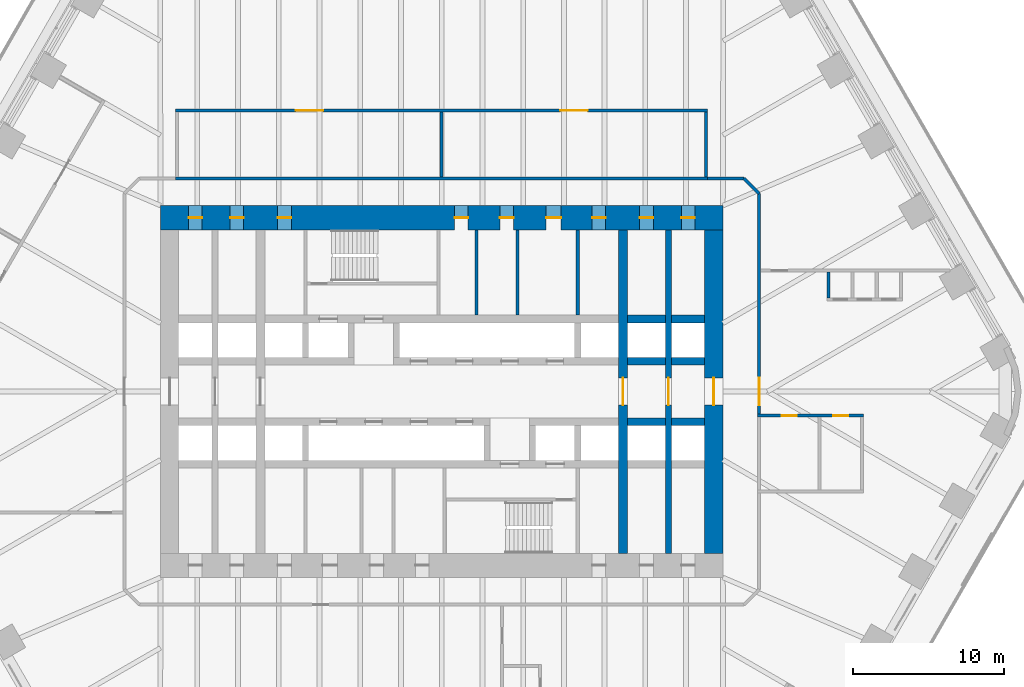
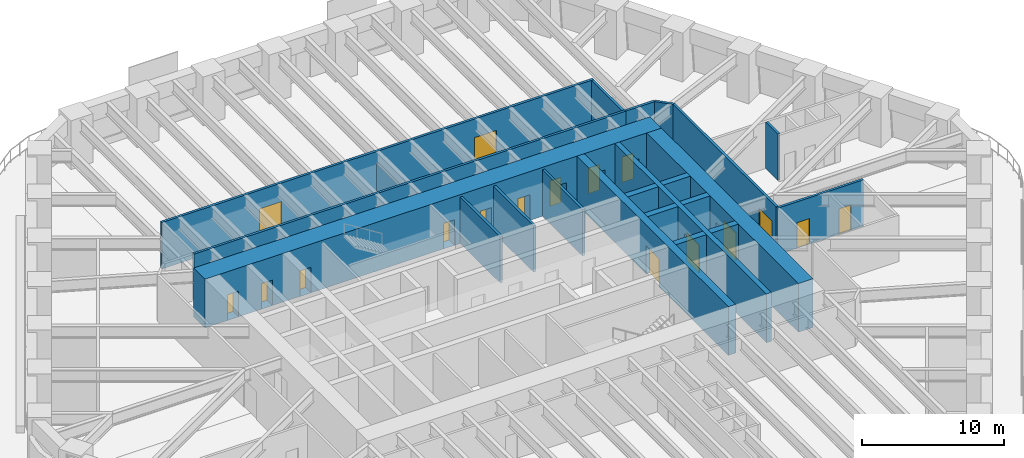
# One storey, part 19 of 24: 22 walls, 17 doors, 17 openings.
"""IFC4 building model written with IfcOpenShell, lengths in metres."""

from ifc_helpers import new_model, si_unit, direction, frame, frame_2d, origin, place, context, subcontext, project, spatial, rectangle, extrude, material, layer, layer_set, type_object, element, fill, save


model = new_model("IFC4")

# Units and contexts
model_context = context("Model", 3, precision=1e-05, world=origin(), true_north=direction((0.0, 1.0)))
body_context = subcontext(model_context, "Body", "Model", "MODEL_VIEW")
ifc_project = project(units=[si_unit("LENGTHUNIT", "METRE"), si_unit("AREAUNIT", "SQUARE_METRE"), si_unit("VOLUMEUNIT", "CUBIC_METRE"), si_unit("PLANEANGLEUNIT", "RADIAN"), si_unit("MASSUNIT", "GRAM", prefix="KILO")], contexts=[model_context])

# Site, building, storey
site_placement = place(None, origin())
site = spatial("IfcSite", under=ifc_project, at=site_placement, CompositionType="ELEMENT")
building_placement = place(site_placement, origin())
building = spatial("IfcBuilding", under=site, at=building_placement, Name="Tarfa Lantern Tower", CompositionType="ELEMENT")
storey_placement = place(building_placement, frame((0.0, 0.0, 90.699951171875)))
storey = spatial("IfcBuildingStorey", under=building, at=storey_placement, Name="L20", CompositionType="ELEMENT", Elevation=90.699951171875)

# Walls
ifc_material_1 = material(Name="Concrete blockwork", Category="masonry")
ifc_layer_1 = layer(ifc_material_1, 0.199951171875)
ifc_layer_set_1 = layer_set([ifc_layer_1], Name="IW1 BLOCKWORK PARTITION 200 EI 120")
wall_type_1 = type_object("IfcWallType", Name="IW1 BLOCKWORK PARTITION 200 EI 120", PredefinedType="PARTITIONING", material=ifc_layer_set_1)
for number, where, z_axis, x_axis, name in (
    (1, (9.0, 5.050048828125, 0.0), (0.0, 0.0, 1.0), (0.0, 1.0, 0.0), "Core partition"),
    (2, (2.300048828125, 5.050048828125, 0.0), (0.0, 0.0, 1.0), (0.0, 1.0, 0.0), "Core partition"),
    (3, (5.0, 5.050048828125, 0.0), (0.0, 0.0, 1.0), (0.0, 1.0, 0.0), "Core partition"),
):
    element("IfcWall", number, at=place(storey_placement, frame(where, z_axis=z_axis, x_axis=x_axis)), inside=storey, type_object=wall_type_1, Name=name, PredefinedType="PARTITIONING", context=body_context, shape_type="SweptSolid", body=[
        extrude(rectangle(XDim=5.64990234375, YDim=0.199951171875, at=frame_2d((2.824951171875, 0.0))), origin(), (0.0, 0.0, 1.0), 4.0),
    ])
ifc_material_2 = material(Name="Gypsum board on steel studs", Category="steel")
ifc_layer_2 = layer(ifc_material_2, 0.2099609375)
ifc_layer_set_2 = layer_set([ifc_layer_2], Name="IW2 ACOUSTIC PARTITION 200")
wall_type_2 = type_object("IfcWallType", Name="IW2 ACOUSTIC PARTITION 200", PredefinedType="PARTITIONING", material=ifc_layer_set_2)
wall_1_placement = place(storey_placement, frame((-17.60009765625, 14.10009765625, 0.0), z_axis=(0.0, 0.0, 1.0), x_axis=(1.0, 0.0, 0.0)))
element("IfcWall", 4, at=wall_1_placement, inside=storey, type_object=wall_type_2, Name="Partition", PredefinedType="PARTITIONING", context=body_context, shape_type="SweptSolid", body=[
    extrude(rectangle(XDim=35.2001953125, YDim=0.199951171875, at=frame_2d((17.60009765625, 0.0))), origin(), (0.0, 0.0, 1.0), 4.0),
])

# Wall, openings, doors
wall_2_placement = place(storey_placement, frame((-17.60009765625, 18.60009765625, 0.0), z_axis=(0.0, 0.0, 1.0), x_axis=(1.0, 0.0, 0.0)))
wall_2 = element("IfcWall", 5, at=wall_2_placement, inside=storey, type_object=wall_type_2, Name="Partition", PredefinedType="PARTITIONING", context=body_context, shape_type="SweptSolid", body=[
    extrude(rectangle(XDim=35.2001953125, YDim=0.199951171875, at=frame_2d((17.60009765625, 0.0))), origin(), (0.0, 0.0, 1.0), 4.0),
])
opening_1_placement = place(wall_2_placement, frame((7.949951171875, 0.0, 0.0)))
opening_1 = element("IfcOpeningElement", 6, at=opening_1_placement, cuts=wall_2, Name="Opening D34", PredefinedType="OPENING", context=body_context, shape_type="SweptSolid", body=[
    extrude(rectangle(XDim=1.800048828125, YDim=2.39990234375, at=frame_2d((0.89990234375, 1.199951171875))), frame((0.0, 0.10986328125, 0.0), z_axis=(0.0, -1.0, 0.0), x_axis=(1.0, 0.0, 0.0)), (0.0, 0.0, 1.0), 0.219970703125),
])
opening_2_placement = place(wall_2_placement, frame((25.449951171875, 0.0, 0.0)))
opening_2 = element("IfcOpeningElement", 7, at=opening_2_placement, cuts=wall_2, Name="Opening D35", PredefinedType="OPENING", context=body_context, shape_type="SweptSolid", body=[
    extrude(rectangle(XDim=1.800048828125, YDim=2.39990234375, at=frame_2d((0.89990234375, 1.199951171875))), frame((0.0, 0.10986328125, 0.0), z_axis=(0.0, -1.0, 0.0), x_axis=(1.0, 0.0, 0.0)), (0.0, 0.0, 1.0), 0.219970703125),
])
ifc_material_3 = material(Name="Timber door", Category="wood")
door_type_1 = type_object("IfcDoorType", Name="DR2 ROOM DOOR 1800x2400", OperationType="DOUBLE_DOOR_SINGLE_SWING", PredefinedType="DOOR", material=ifc_material_3)
door_1_placement = place(opening_1_placement, frame((1.800048828125, 0.0, 0.0), z_axis=(0.0, 0.0, 1.0), x_axis=(-1.0, 0.0, 0.0)))
door_1 = element("IfcDoor", 8, at=door_1_placement, inside=storey, type_object=door_type_1, Name="Help desk office door", OperationType="DOUBLE_DOOR_SINGLE_SWING", OverallHeight=2.39990234375, OverallWidth=1.800048828125, PredefinedType="DOOR", context=body_context, shape_type="SweptSolid", body=[
    extrude(rectangle(XDim=1.800048828125, YDim=2.39990234375, at=frame_2d((0.89990234375, 1.199951171875))), frame((0.0, 0.02490234375, 0.0), z_axis=(0.0, -1.0, 0.0), x_axis=(1.0, 0.0, 0.0)), (0.0, 0.0, 1.0), 0.050048828125),
])
fill(opening_1, door_1)
door_2_placement = place(opening_2_placement, frame((1.800048828125, 0.0, 0.0), z_axis=(0.0, 0.0, 1.0), x_axis=(-1.0, 0.0, 0.0)))
door_2 = element("IfcDoor", 9, at=door_2_placement, inside=storey, type_object=door_type_1, Name="Workshop store door", OperationType="DOUBLE_DOOR_SINGLE_SWING", OverallHeight=2.39990234375, OverallWidth=1.800048828125, PredefinedType="DOOR", context=body_context, shape_type="SweptSolid", body=[
    extrude(rectangle(XDim=1.800048828125, YDim=2.39990234375, at=frame_2d((0.89990234375, 1.199951171875))), frame((0.0, 0.02490234375, 0.0), z_axis=(0.0, -1.0, 0.0), x_axis=(1.0, 0.0, 0.0)), (0.0, 0.0, 1.0), 0.050048828125),
])
fill(opening_2, door_2)

# Walls
wall_3_placement = place(storey_placement, frame((0.0, 14.199951171875, 0.0), z_axis=(0.0, 0.0, 1.0), x_axis=(0.0, 1.0, 0.0)))
element("IfcWall", 10, at=wall_3_placement, inside=storey, type_object=wall_type_2, Name="Partition", PredefinedType="PARTITIONING", context=body_context, shape_type="SweptSolid", body=[
    extrude(rectangle(XDim=4.300048828125, YDim=0.199951171875, at=frame_2d((2.14990234375, 0.0))), origin(), (0.0, 0.0, 1.0), 2.944091796875),
])
wall_4_placement = place(storey_placement, frame((17.5, 14.199951171875, 0.0), z_axis=(0.0, 0.0, 1.0), x_axis=(0.0, 1.0, 0.0)))
element("IfcWall", 11, at=wall_4_placement, inside=storey, type_object=wall_type_2, Name="Partition", PredefinedType="PARTITIONING", context=body_context, shape_type="SweptSolid", body=[
    extrude(rectangle(XDim=4.300048828125, YDim=0.199951171875, at=frame_2d((2.14990234375, 0.0))), origin(), (0.0, 0.0, 1.0), 4.0),
])

# Wall, openings, doors
wall_5_placement = place(storey_placement, frame((20.89990234375, -1.60009765625, 0.0), z_axis=(0.0, 0.0, 1.0), x_axis=(1.0, 0.0, 0.0)))
wall_5 = element("IfcWall", 12, at=wall_5_placement, inside=storey, type_object=wall_type_2, Name="Partition", PredefinedType="PARTITIONING", context=body_context, shape_type="SweptSolid", body=[
    extrude(rectangle(XDim=7.0, YDim=0.199951171875, at=frame_2d((3.5, 0.0))), origin(), (0.0, 0.0, 1.0), 4.0),
])
opening_3_placement = place(wall_5_placement, frame((1.60009765625, 0.0, 0.0)))
opening_3 = element("IfcOpeningElement", 13, at=opening_3_placement, cuts=wall_5, Name="Opening D29", PredefinedType="OPENING", context=body_context, shape_type="SweptSolid", body=[
    extrude(rectangle(XDim=1.0, YDim=2.199951171875, at=frame_2d((0.5, 1.10009765625))), frame((0.0, 0.10986328125, 0.0), z_axis=(0.0, -1.0, 0.0), x_axis=(1.0, 0.0, 0.0)), (0.0, 0.0, 1.0), 0.219970703125),
])
opening_4_placement = place(wall_5_placement, frame((5.0, 0.0, 0.0)))
opening_4 = element("IfcOpeningElement", 14, at=opening_4_placement, cuts=wall_5, Name="Opening D30", PredefinedType="OPENING", context=body_context, shape_type="SweptSolid", body=[
    extrude(rectangle(XDim=1.0, YDim=2.199951171875, at=frame_2d((0.5, 1.10009765625))), frame((0.0, 0.10986328125, 0.0), z_axis=(0.0, -1.0, 0.0), x_axis=(1.0, 0.0, 0.0)), (0.0, 0.0, 1.0), 0.219970703125),
])
door_type_2 = type_object("IfcDoorType", Name="DR1 ROOM DOOR 1000x2200", OperationType="SINGLE_SWING_LEFT", PredefinedType="DOOR", material=ifc_material_3)
door_3_placement = place(opening_3_placement, frame((1.0, 0.0, 0.0), z_axis=(0.0, 0.0, 1.0), x_axis=(-1.0, 0.0, 0.0)))
door_3 = element("IfcDoor", 15, at=door_3_placement, inside=storey, type_object=door_type_2, Name="Pantry door", OperationType="SINGLE_SWING_LEFT", OverallHeight=2.199951171875, OverallWidth=1.0, PredefinedType="DOOR", context=body_context, shape_type="SweptSolid", body=[
    extrude(rectangle(XDim=1.0, YDim=2.199951171875, at=frame_2d((0.5, 1.10009765625))), frame((0.0, 0.02490234375, 0.0), z_axis=(0.0, -1.0, 0.0), x_axis=(1.0, 0.0, 0.0)), (0.0, 0.0, 1.0), 0.050048828125),
])
fill(opening_3, door_3)
door_4_placement = place(opening_4_placement, frame((1.0, 0.0, 0.0), z_axis=(0.0, 0.0, 1.0), x_axis=(-1.0, 0.0, 0.0)))
door_4 = element("IfcDoor", 16, at=door_4_placement, inside=storey, type_object=door_type_2, Name="Focus room door", OperationType="SINGLE_SWING_RIGHT", OverallHeight=2.199951171875, OverallWidth=1.0, PredefinedType="DOOR", context=body_context, shape_type="SweptSolid", body=[
    extrude(rectangle(XDim=1.0, YDim=2.199951171875, at=frame_2d((0.5, 1.10009765625))), frame((0.0, 0.02490234375, 0.0), z_axis=(0.0, -1.0, 0.0), x_axis=(1.0, 0.0, 0.0)), (0.0, 0.0, 1.0), 0.050048828125),
])
fill(opening_4, door_4)

# Walls
wall_6_placement = place(storey_placement, frame((17.60009765625, 14.10009765625, 0.0), z_axis=(0.0, 0.0, 1.0), x_axis=(1.0, 0.0, 0.0)))
element("IfcWall", 17, at=wall_6_placement, inside=storey, type_object=wall_type_2, Name="Partition", PredefinedType="PARTITIONING", context=body_context, shape_type="SweptSolid", body=[
    extrude(rectangle(XDim=2.39990234375, YDim=0.199951171875, at=frame_2d((1.199951171875, 0.0))), origin(), (0.0, 0.0, 1.0), 4.0),
])
wall_7_placement = place(storey_placement, frame((20.0, 14.10009765625, 0.0), z_axis=(0.0, 0.0, 1.0), x_axis=(0.707106781187, -0.707106781187, 0.0)))
element("IfcWall", 18, at=wall_7_placement, inside=storey, type_object=wall_type_2, Name="Partition", PredefinedType="PARTITIONING", context=body_context, shape_type="SweptSolid", body=[
    extrude(rectangle(XDim=1.414306640625, YDim=0.199951171875, at=frame_2d((0.70703125, 0.0))), origin(), (0.0, 0.0, 1.0), 4.0),
])

# Wall, opening, door
wall_8_placement = place(storey_placement, frame((21.0, 13.10009765625, 0.0), z_axis=(0.0, 0.0, 1.0), x_axis=(0.0, -1.0, 0.0)))
wall_8 = element("IfcWall", 19, at=wall_8_placement, inside=storey, type_object=wall_type_2, Name="Partition", PredefinedType="PARTITIONING", context=body_context, shape_type="SweptSolid", body=[
    extrude(rectangle(XDim=14.59912109375, YDim=0.199951171875, at=frame_2d((7.299560546875, 0.0))), origin(), (0.0, 0.0, 1.0), 4.0),
])
opening_5_placement = place(wall_8_placement, frame((12.199951171875, 0.0, 0.0)))
opening_5 = element("IfcOpeningElement", 20, at=opening_5_placement, cuts=wall_8, Name="Opening D42", PredefinedType="OPENING", context=body_context, shape_type="SweptSolid", body=[
    extrude(rectangle(XDim=1.800048828125, YDim=2.39990234375, at=frame_2d((0.89990234375, 1.199951171875))), frame((0.0, 0.10986328125, 0.0), z_axis=(0.0, -1.0, 0.0), x_axis=(1.0, 0.0, 0.0)), (0.0, 0.0, 1.0), 0.219970703125),
])
door_5_placement = place(opening_5_placement, origin())
door_5 = element("IfcDoor", 21, at=door_5_placement, inside=storey, type_object=door_type_1, Name="Corridor door", OperationType="DOUBLE_DOOR_SINGLE_SWING", OverallHeight=2.39990234375, OverallWidth=1.800048828125, PredefinedType="DOOR", context=body_context, shape_type="SweptSolid", body=[
    extrude(rectangle(XDim=1.800048828125, YDim=2.39990234375, at=frame_2d((0.89990234375, 1.199951171875))), frame((0.0, 0.02490234375, 0.0), z_axis=(0.0, -1.0, 0.0), x_axis=(1.0, 0.0, 0.0)), (0.0, 0.0, 1.0), 0.050048828125),
])
fill(opening_5, door_5)

# Wall
wall_9_placement = place(storey_placement, frame((25.5810546875, 7.89990234375, 0.0), z_axis=(0.0, 0.0, 1.0), x_axis=(0.0, -1.0, 0.0)))
element("IfcWall", 22, at=wall_9_placement, inside=storey, type_object=wall_type_2, Name="Partition", PredefinedType="PARTITIONING", context=body_context, shape_type="SweptSolid", body=[
    extrude(rectangle(XDim=1.699951171875, YDim=0.199951171875, at=frame_2d((0.85009765625, 0.0))), origin(), (0.0, 0.0, 1.0), 4.0),
])

# Wall, opening, door
ifc_material_4 = material(Name="Concrete C80/95", Category="concrete")
ifc_layer_3 = layer(ifc_material_4, 1.199951171875)
ifc_layer_set_3 = layer_set([ifc_layer_3], Name="SW1 CORE WALL 1200")
wall_type_3 = type_object("IfcWallType", Name="SW1 CORE WALL 1200", PredefinedType="SHEAR", material=ifc_layer_set_3)
wall_10_placement = place(storey_placement, frame((18.0, -10.699951171875, 0.0), z_axis=(0.0, 0.0, 1.0), x_axis=(0.0, 1.0, 0.0)))
wall_10 = element("IfcWall", 23, at=wall_10_placement, inside=storey, type_object=wall_type_3, Name="Core wall E", PredefinedType="SHEAR", context=body_context, shape_type="SweptSolid", body=[
    extrude(rectangle(XDim=21.39990234375, YDim=1.199951171875, at=frame_2d((10.699951171875, 0.0))), origin(), (0.0, 0.0, 1.0), 4.199951171875),
])
opening_6_placement = place(wall_10_placement, frame((9.800048828125, 0.0, 0.0)))
opening_6 = element("IfcOpeningElement", 24, at=opening_6_placement, cuts=wall_10, Name="Opening D15", PredefinedType="OPENING", context=body_context, shape_type="SweptSolid", body=[
    extrude(rectangle(XDim=1.800048828125, YDim=2.39990234375, at=frame_2d((0.89990234375, 1.199951171875))), frame((0.0, 0.60986328125, 0.0), z_axis=(0.0, -1.0, 0.0), x_axis=(1.0, 0.0, 0.0)), (0.0, 0.0, 1.0), 1.219970703125),
])
ifc_material_5 = material(Name="Steel fire door", Category="steel")
door_type_3 = type_object("IfcDoorType", Name="DL1 LOBBY DOOR 1800x2400", OperationType="DOUBLE_DOOR_SINGLE_SWING", PredefinedType="DOOR", material=ifc_material_5)
door_6_placement = place(opening_6_placement, frame((1.800048828125, 0.0, 0.0), z_axis=(0.0, 0.0, 1.0), x_axis=(-1.0, 0.0, 0.0)))
door_6 = element("IfcDoor", 25, at=door_6_placement, inside=storey, type_object=door_type_3, Name="Lift lobby door", OperationType="DOUBLE_DOOR_SINGLE_SWING", OverallHeight=2.39990234375, OverallWidth=1.800048828125, PredefinedType="DOOR", context=body_context, shape_type="SweptSolid", body=[
    extrude(rectangle(XDim=1.800048828125, YDim=2.39990234375, at=frame_2d((0.89990234375, 1.199951171875))), frame((0.0, 0.02490234375, 0.0), z_axis=(0.0, -1.0, 0.0), x_axis=(1.0, 0.0, 0.0)), (0.0, 0.0, 1.0), 0.050048828125),
])
fill(opening_6, door_6)

# Walls
ifc_layer_4 = layer(ifc_material_4, 0.5)
ifc_layer_set_4 = layer_set([ifc_layer_4], Name="SW5 CORE WALL 500")
wall_type_4 = type_object("IfcWallType", Name="SW5 CORE WALL 500", PredefinedType="SHEAR", material=ifc_layer_set_4)
wall_11_placement = place(storey_placement, frame((12.300048828125, 2.0, 0.0), z_axis=(0.0, 0.0, 1.0), x_axis=(1.0, 0.0, 0.0)))
element("IfcWall", 26, at=wall_11_placement, inside=storey, type_object=wall_type_4, Name="Core wall lobby east N", PredefinedType="SHEAR", context=body_context, shape_type="SweptSolid", body=[
    extrude(rectangle(XDim=2.5, YDim=0.5, at=frame_2d((1.25, 0.0))), origin(), (0.0, 0.0, 1.0), 4.199951171875),
])
wall_12_placement = place(storey_placement, frame((15.199951171875, 2.0, 0.0), z_axis=(0.0, 0.0, 1.0), x_axis=(1.0, 0.0, 0.0)))
element("IfcWall", 27, at=wall_12_placement, inside=storey, type_object=wall_type_4, Name="Core wall lobby east N", PredefinedType="SHEAR", context=body_context, shape_type="SweptSolid", body=[
    extrude(rectangle(XDim=2.199951171875, YDim=0.5, at=frame_2d((1.10009765625, 0.0))), origin(), (0.0, 0.0, 1.0), 4.199951171875),
])
wall_13_placement = place(storey_placement, frame((12.300048828125, 4.800048828125, 0.0), z_axis=(0.0, 0.0, 1.0), x_axis=(1.0, 0.0, 0.0)))
element("IfcWall", 28, at=wall_13_placement, inside=storey, type_object=wall_type_4, Name="Core wall rear N", PredefinedType="SHEAR", context=body_context, shape_type="SweptSolid", body=[
    extrude(rectangle(XDim=2.5, YDim=0.5, at=frame_2d((1.25, 0.0))), origin(), (0.0, 0.0, 1.0), 4.199951171875),
])
for number, where, z_axis, x_axis, name in (
    (29, (15.199951171875, 4.800048828125, 0.0), (0.0, 0.0, 1.0), (1.0, 0.0, 0.0), "Core wall rear N"),
    (30, (17.39990234375, -2.0, 0.0), (0.0, 0.0, 1.0), (-1.0, 0.0, 0.0), "Core wall lobby west S"),
):
    element("IfcWall", number, at=place(storey_placement, frame(where, z_axis=z_axis, x_axis=x_axis)), inside=storey, type_object=wall_type_4, Name=name, PredefinedType="SHEAR", context=body_context, shape_type="SweptSolid", body=[
        extrude(rectangle(XDim=2.199951171875, YDim=0.5, at=frame_2d((1.10009765625, 0.0))), origin(), (0.0, 0.0, 1.0), 4.199951171875),
    ])
wall_14_placement = place(storey_placement, frame((14.800048828125, -2.0, 0.0), z_axis=(0.0, 0.0, 1.0), x_axis=(-1.0, 0.0, 0.0)))
element("IfcWall", 31, at=wall_14_placement, inside=storey, type_object=wall_type_4, Name="Core wall lobby west S", PredefinedType="SHEAR", context=body_context, shape_type="SweptSolid", body=[
    extrude(rectangle(XDim=2.5, YDim=0.5, at=frame_2d((1.25, 0.0))), origin(), (0.0, 0.0, 1.0), 4.199951171875),
])

# Wall, opening, door
ifc_layer_5 = layer(ifc_material_4, 0.39990234375)
ifc_layer_set_5 = layer_set([ifc_layer_5], Name="SW6 CORE WALL 400")
wall_type_5 = type_object("IfcWallType", Name="SW6 CORE WALL 400", PredefinedType="SHEAR", material=ifc_layer_set_5)
wall_15_placement = place(storey_placement, frame((15.0, -10.699951171875, 0.0), z_axis=(0.0, 0.0, 1.0), x_axis=(0.0, 1.0, 0.0)))
wall_15 = element("IfcWall", 32, at=wall_15_placement, inside=storey, type_object=wall_type_5, Name="Core wall cross 15 m east", PredefinedType="SHEAR", context=body_context, shape_type="SweptSolid", body=[
    extrude(rectangle(XDim=21.39990234375, YDim=0.39990234375, at=frame_2d((10.699951171875, 0.0))), origin(), (0.0, 0.0, 1.0), 4.199951171875),
])
opening_7_placement = place(wall_15_placement, frame((9.800048828125, 0.0, 0.0)))
opening_7 = element("IfcOpeningElement", 33, at=opening_7_placement, cuts=wall_15, Name="Opening D26", PredefinedType="OPENING", context=body_context, shape_type="SweptSolid", body=[
    extrude(rectangle(XDim=1.800048828125, YDim=2.39990234375, at=frame_2d((0.89990234375, 1.199951171875))), frame((0.0, 0.2099609375, 0.0), z_axis=(0.0, -1.0, 0.0), x_axis=(1.0, 0.0, 0.0)), (0.0, 0.0, 1.0), 0.419921875),
])
door_7_placement = place(opening_7_placement, origin())
door_7 = element("IfcDoor", 34, at=door_7_placement, inside=storey, type_object=door_type_3, Name="Lift lobby door", OperationType="DOUBLE_DOOR_SINGLE_SWING", OverallHeight=2.39990234375, OverallWidth=1.800048828125, PredefinedType="DOOR", context=body_context, shape_type="SweptSolid", body=[
    extrude(rectangle(XDim=1.800048828125, YDim=2.39990234375, at=frame_2d((0.89990234375, 1.199951171875))), frame((0.0, 0.02490234375, 0.0), z_axis=(0.0, -1.0, 0.0), x_axis=(1.0, 0.0, 0.0)), (0.0, 0.0, 1.0), 0.050048828125),
])
fill(opening_7, door_7)

# Wall, openings, doors
ifc_layer_6 = layer(ifc_material_4, 1.60009765625)
ifc_layer_set_6 = layer_set([ifc_layer_6], Name="SW7 CORE WALL 1600")
wall_type_6 = type_object("IfcWallType", Name="SW7 CORE WALL 1600", PredefinedType="SHEAR", material=ifc_layer_set_6)
wall_16_placement = place(storey_placement, frame((-18.60009765625, 11.5, 0.0), z_axis=(0.0, 0.0, 1.0), x_axis=(1.0, 0.0, 0.0)))
wall_16 = element("IfcWall", 35, at=wall_16_placement, inside=storey, type_object=wall_type_6, Name="Core wall N", PredefinedType="SHEAR", context=body_context, shape_type="SweptSolid", body=[
    extrude(rectangle(XDim=37.2001953125, YDim=1.60009765625, at=frame_2d((18.60009765625, 0.0))), origin(), (0.0, 0.0, 1.0), 4.199951171875),
])
opening_8_placement = place(wall_16_placement, frame((19.449951171875, 0.0, 0.0)))
opening_8 = element("IfcOpeningElement", 36, at=opening_8_placement, cuts=wall_16, Name="Opening D17", PredefinedType="OPENING", context=body_context, shape_type="SweptSolid", body=[
    extrude(rectangle(XDim=0.89990234375, YDim=2.199951171875, at=frame_2d((0.449951171875, 1.10009765625))), frame((0.0, 0.81005859375, 0.0), z_axis=(0.0, -1.0, 0.0), x_axis=(1.0, 0.0, 0.0)), (0.0, 0.0, 1.0), 1.6201171875),
])
opening_9_placement = place(wall_16_placement, frame((22.449951171875, 0.0, 0.0)))
opening_9 = element("IfcOpeningElement", 37, at=opening_9_placement, cuts=wall_16, Name="Opening D19", PredefinedType="OPENING", context=body_context, shape_type="SweptSolid", body=[
    extrude(rectangle(XDim=0.89990234375, YDim=2.199951171875, at=frame_2d((0.449951171875, 1.10009765625))), frame((0.0, 0.81005859375, 0.0), z_axis=(0.0, -1.0, 0.0), x_axis=(1.0, 0.0, 0.0)), (0.0, 0.0, 1.0), 1.6201171875),
])
opening_10_placement = place(wall_16_placement, frame((25.5, 0.0, 0.0)))
opening_10 = element("IfcOpeningElement", 38, at=opening_10_placement, cuts=wall_16, Name="Opening D21", PredefinedType="OPENING", context=body_context, shape_type="SweptSolid", body=[
    extrude(rectangle(XDim=1.0, YDim=2.199951171875, at=frame_2d((0.5, 1.10009765625))), frame((0.0, 0.81005859375, 0.0), z_axis=(0.0, -1.0, 0.0), x_axis=(1.0, 0.0, 0.0)), (0.0, 0.0, 1.0), 1.6201171875),
])
opening_11_placement = place(wall_16_placement, frame((1.85009765625, 0.0, 0.0)))
opening_11 = element("IfcOpeningElement", 39, at=opening_11_placement, cuts=wall_16, Name="Opening D11", PredefinedType="OPENING", context=body_context, shape_type="SweptSolid", body=[
    extrude(rectangle(XDim=0.89990234375, YDim=2.199951171875, at=frame_2d((0.449951171875, 1.10009765625))), frame((0.0, 0.81005859375, 0.0), z_axis=(0.0, -1.0, 0.0), x_axis=(1.0, 0.0, 0.0)), (0.0, 0.0, 1.0), 1.6201171875),
])
opening_12_placement = place(wall_16_placement, frame((4.60009765625, 0.0, 0.0)))
opening_12 = element("IfcOpeningElement", 40, at=opening_12_placement, cuts=wall_16, Name="Opening D07", PredefinedType="OPENING", context=body_context, shape_type="SweptSolid", body=[
    extrude(rectangle(XDim=0.89990234375, YDim=2.199951171875, at=frame_2d((0.449951171875, 1.10009765625))), frame((0.0, 0.81005859375, 0.0), z_axis=(0.0, -1.0, 0.0), x_axis=(1.0, 0.0, 0.0)), (0.0, 0.0, 1.0), 1.6201171875),
])
opening_13_placement = place(wall_16_placement, frame((7.75, 0.0, 0.0)))
opening_13 = element("IfcOpeningElement", 41, at=opening_13_placement, cuts=wall_16, Name="Opening D09", PredefinedType="OPENING", context=body_context, shape_type="SweptSolid", body=[
    extrude(rectangle(XDim=0.89990234375, YDim=2.199951171875, at=frame_2d((0.449951171875, 1.10009765625))), frame((0.0, 0.81005859375, 0.0), z_axis=(0.0, -1.0, 0.0), x_axis=(1.0, 0.0, 0.0)), (0.0, 0.0, 1.0), 1.6201171875),
])
opening_14_placement = place(wall_16_placement, frame((28.550048828125, 0.0, 0.0)))
opening_14 = element("IfcOpeningElement", 42, at=opening_14_placement, cuts=wall_16, Name="Opening D05", PredefinedType="OPENING", context=body_context, shape_type="SweptSolid", body=[
    extrude(rectangle(XDim=0.89990234375, YDim=2.199951171875, at=frame_2d((0.449951171875, 1.10009765625))), frame((0.0, 0.81005859375, 0.0), z_axis=(0.0, -1.0, 0.0), x_axis=(1.0, 0.0, 0.0)), (0.0, 0.0, 1.0), 1.6201171875),
])
opening_15_placement = place(wall_16_placement, frame((31.699951171875, 0.0, 0.0)))
opening_15 = element("IfcOpeningElement", 43, at=opening_15_placement, cuts=wall_16, Name="Opening D01", PredefinedType="OPENING", context=body_context, shape_type="SweptSolid", body=[
    extrude(rectangle(XDim=0.89990234375, YDim=2.199951171875, at=frame_2d((0.449951171875, 1.10009765625))), frame((0.0, 0.81005859375, 0.0), z_axis=(0.0, -1.0, 0.0), x_axis=(1.0, 0.0, 0.0)), (0.0, 0.0, 1.0), 1.6201171875),
])
opening_16_placement = place(wall_16_placement, frame((34.449951171875, 0.0, 0.0)))
opening_16 = element("IfcOpeningElement", 44, at=opening_16_placement, cuts=wall_16, Name="Opening D03", PredefinedType="OPENING", context=body_context, shape_type="SweptSolid", body=[
    extrude(rectangle(XDim=0.89990234375, YDim=2.199951171875, at=frame_2d((0.449951171875, 1.10009765625))), frame((0.0, 0.81005859375, 0.0), z_axis=(0.0, -1.0, 0.0), x_axis=(1.0, 0.0, 0.0)), (0.0, 0.0, 1.0), 1.6201171875),
])
door_type_4 = type_object("IfcDoorType", Name="DF3 CORE ROOM DOOR 900x2200", OperationType="SINGLE_SWING_LEFT", PredefinedType="DOOR", material=ifc_material_5)
door_8_placement = place(opening_8_placement, frame((0.89990234375, 0.0, 0.0), z_axis=(0.0, 0.0, 1.0), x_axis=(-1.0, 0.0, 0.0)))
door_8 = element("IfcDoor", 45, at=door_8_placement, inside=storey, type_object=door_type_4, Name="Core door", OperationType="SINGLE_SWING_RIGHT", OverallHeight=2.199951171875, OverallWidth=0.89990234375, PredefinedType="DOOR", context=body_context, shape_type="SweptSolid", body=[
    extrude(rectangle(XDim=0.89990234375, YDim=2.199951171875, at=frame_2d((0.449951171875, 1.10009765625))), frame((0.0, 0.02490234375, 0.0), z_axis=(0.0, -1.0, 0.0), x_axis=(1.0, 0.0, 0.0)), (0.0, 0.0, 1.0), 0.050048828125),
])
fill(opening_8, door_8)
door_9_placement = place(opening_9_placement, frame((0.89990234375, 0.0, 0.0), z_axis=(0.0, 0.0, 1.0), x_axis=(-1.0, 0.0, 0.0)))
door_9 = element("IfcDoor", 46, at=door_9_placement, inside=storey, type_object=door_type_4, Name="Core door", OperationType="SINGLE_SWING_RIGHT", OverallHeight=2.199951171875, OverallWidth=0.89990234375, PredefinedType="DOOR", context=body_context, shape_type="SweptSolid", body=[
    extrude(rectangle(XDim=0.89990234375, YDim=2.199951171875, at=frame_2d((0.449951171875, 1.10009765625))), frame((0.0, 0.02490234375, 0.0), z_axis=(0.0, -1.0, 0.0), x_axis=(1.0, 0.0, 0.0)), (0.0, 0.0, 1.0), 0.050048828125),
])
fill(opening_9, door_9)
door_type_5 = type_object("IfcDoorType", Name="DF4 CORE ROOM DOOR 1000x2200", OperationType="SINGLE_SWING_LEFT", PredefinedType="DOOR", material=ifc_material_5)
door_10_placement = place(opening_10_placement, frame((1.0, 0.0, 0.0), z_axis=(0.0, 0.0, 1.0), x_axis=(-1.0, 0.0, 0.0)))
door_10 = element("IfcDoor", 47, at=door_10_placement, inside=storey, type_object=door_type_5, Name="Core door", OperationType="SINGLE_SWING_RIGHT", OverallHeight=2.199951171875, OverallWidth=1.0, PredefinedType="DOOR", context=body_context, shape_type="SweptSolid", body=[
    extrude(rectangle(XDim=1.0, YDim=2.199951171875, at=frame_2d((0.5, 1.10009765625))), frame((0.0, 0.02490234375, 0.0), z_axis=(0.0, -1.0, 0.0), x_axis=(1.0, 0.0, 0.0)), (0.0, 0.0, 1.0), 0.050048828125),
])
fill(opening_10, door_10)
door_type_6 = type_object("IfcDoorType", Name="DF5 RISER DOOR 900x2200", OperationType="SINGLE_SWING_LEFT", PredefinedType="DOOR", material=ifc_material_5)
door_11_placement = place(opening_11_placement, frame((0.89990234375, 0.0, 0.0), z_axis=(0.0, 0.0, 1.0), x_axis=(-1.0, 0.0, 0.0)))
door_11 = element("IfcDoor", 48, at=door_11_placement, inside=storey, type_object=door_type_6, Name="Riser door", OperationType="SINGLE_SWING_LEFT", OverallHeight=2.199951171875, OverallWidth=0.89990234375, PredefinedType="DOOR", context=body_context, shape_type="SweptSolid", body=[
    extrude(rectangle(XDim=0.89990234375, YDim=2.199951171875, at=frame_2d((0.449951171875, 1.10009765625))), frame((0.0, 0.02490234375, 0.0), z_axis=(0.0, -1.0, 0.0), x_axis=(1.0, 0.0, 0.0)), (0.0, 0.0, 1.0), 0.050048828125),
])
fill(opening_11, door_11)
door_12_placement = place(opening_12_placement, frame((0.89990234375, 0.0, 0.0), z_axis=(0.0, 0.0, 1.0), x_axis=(-1.0, 0.0, 0.0)))
door_12 = element("IfcDoor", 49, at=door_12_placement, inside=storey, type_object=door_type_6, Name="Riser door", OperationType="SINGLE_SWING_LEFT", OverallHeight=2.199951171875, OverallWidth=0.89990234375, PredefinedType="DOOR", context=body_context, shape_type="SweptSolid", body=[
    extrude(rectangle(XDim=0.89990234375, YDim=2.199951171875, at=frame_2d((0.449951171875, 1.10009765625))), frame((0.0, 0.02490234375, 0.0), z_axis=(0.0, -1.0, 0.0), x_axis=(1.0, 0.0, 0.0)), (0.0, 0.0, 1.0), 0.050048828125),
])
fill(opening_12, door_12)
door_13_placement = place(opening_13_placement, frame((0.89990234375, 0.0, 0.0), z_axis=(0.0, 0.0, 1.0), x_axis=(-1.0, 0.0, 0.0)))
door_13 = element("IfcDoor", 50, at=door_13_placement, inside=storey, type_object=door_type_6, Name="Riser door", OperationType="SINGLE_SWING_LEFT", OverallHeight=2.199951171875, OverallWidth=0.89990234375, PredefinedType="DOOR", context=body_context, shape_type="SweptSolid", body=[
    extrude(rectangle(XDim=0.89990234375, YDim=2.199951171875, at=frame_2d((0.449951171875, 1.10009765625))), frame((0.0, 0.02490234375, 0.0), z_axis=(0.0, -1.0, 0.0), x_axis=(1.0, 0.0, 0.0)), (0.0, 0.0, 1.0), 0.050048828125),
])
fill(opening_13, door_13)
door_14_placement = place(opening_14_placement, frame((0.89990234375, 0.0, 0.0), z_axis=(0.0, 0.0, 1.0), x_axis=(-1.0, 0.0, 0.0)))
door_14 = element("IfcDoor", 51, at=door_14_placement, inside=storey, type_object=door_type_6, Name="Riser door", OperationType="SINGLE_SWING_RIGHT", OverallHeight=2.199951171875, OverallWidth=0.89990234375, PredefinedType="DOOR", context=body_context, shape_type="SweptSolid", body=[
    extrude(rectangle(XDim=0.89990234375, YDim=2.199951171875, at=frame_2d((0.449951171875, 1.10009765625))), frame((0.0, 0.02490234375, 0.0), z_axis=(0.0, -1.0, 0.0), x_axis=(1.0, 0.0, 0.0)), (0.0, 0.0, 1.0), 0.050048828125),
])
fill(opening_14, door_14)
door_15_placement = place(opening_15_placement, frame((0.89990234375, 0.0, 0.0), z_axis=(0.0, 0.0, 1.0), x_axis=(-1.0, 0.0, 0.0)))
door_15 = element("IfcDoor", 52, at=door_15_placement, inside=storey, type_object=door_type_6, Name="Riser door", OperationType="SINGLE_SWING_RIGHT", OverallHeight=2.199951171875, OverallWidth=0.89990234375, PredefinedType="DOOR", context=body_context, shape_type="SweptSolid", body=[
    extrude(rectangle(XDim=0.89990234375, YDim=2.199951171875, at=frame_2d((0.449951171875, 1.10009765625))), frame((0.0, 0.02490234375, 0.0), z_axis=(0.0, -1.0, 0.0), x_axis=(1.0, 0.0, 0.0)), (0.0, 0.0, 1.0), 0.050048828125),
])
fill(opening_15, door_15)
door_16_placement = place(opening_16_placement, frame((0.89990234375, 0.0, 0.0), z_axis=(0.0, 0.0, 1.0), x_axis=(-1.0, 0.0, 0.0)))
door_16 = element("IfcDoor", 53, at=door_16_placement, inside=storey, type_object=door_type_6, Name="Riser door", OperationType="SINGLE_SWING_RIGHT", OverallHeight=2.199951171875, OverallWidth=0.89990234375, PredefinedType="DOOR", context=body_context, shape_type="SweptSolid", body=[
    extrude(rectangle(XDim=0.89990234375, YDim=2.199951171875, at=frame_2d((0.449951171875, 1.10009765625))), frame((0.0, 0.02490234375, 0.0), z_axis=(0.0, -1.0, 0.0), x_axis=(1.0, 0.0, 0.0)), (0.0, 0.0, 1.0), 0.050048828125),
])
fill(opening_16, door_16)

# Wall, opening, door
ifc_layer_7 = layer(ifc_material_4, 0.60009765625)
ifc_layer_set_7 = layer_set([ifc_layer_7], Name="SW9 CORE WALL 600")
wall_type_7 = type_object("IfcWallType", Name="SW9 CORE WALL 600", PredefinedType="SHEAR", material=ifc_layer_set_7)
wall_17_placement = place(storey_placement, frame((12.0, -10.699951171875, 0.0), z_axis=(0.0, 0.0, 1.0), x_axis=(0.0, 1.0, 0.0)))
wall_17 = element("IfcWall", 54, at=wall_17_placement, inside=storey, type_object=wall_type_7, Name="Core wall cross 12 m east", PredefinedType="SHEAR", context=body_context, shape_type="SweptSolid", body=[
    extrude(rectangle(XDim=21.39990234375, YDim=0.60009765625, at=frame_2d((10.699951171875, 0.0))), origin(), (0.0, 0.0, 1.0), 4.199951171875),
])
opening_17_placement = place(wall_17_placement, frame((9.800048828125, 0.0, 0.0)))
opening_17 = element("IfcOpeningElement", 55, at=opening_17_placement, cuts=wall_17, Name="Opening D25", PredefinedType="OPENING", context=body_context, shape_type="SweptSolid", body=[
    extrude(rectangle(XDim=1.800048828125, YDim=2.39990234375, at=frame_2d((0.89990234375, 1.199951171875))), frame((0.0, 0.31005859375, 0.0), z_axis=(0.0, -1.0, 0.0), x_axis=(1.0, 0.0, 0.0)), (0.0, 0.0, 1.0), 0.6201171875),
])
door_17_placement = place(opening_17_placement, origin())
door_17 = element("IfcDoor", 56, at=door_17_placement, inside=storey, type_object=door_type_3, Name="Lift lobby door", OperationType="DOUBLE_DOOR_SINGLE_SWING", OverallHeight=2.39990234375, OverallWidth=1.800048828125, PredefinedType="DOOR", context=body_context, shape_type="SweptSolid", body=[
    extrude(rectangle(XDim=1.800048828125, YDim=2.39990234375, at=frame_2d((0.89990234375, 1.199951171875))), frame((0.0, 0.02490234375, 0.0), z_axis=(0.0, -1.0, 0.0), x_axis=(1.0, 0.0, 0.0)), (0.0, 0.0, 1.0), 0.050048828125),
])
fill(opening_17, door_17)

save(model, "model.ifc")
